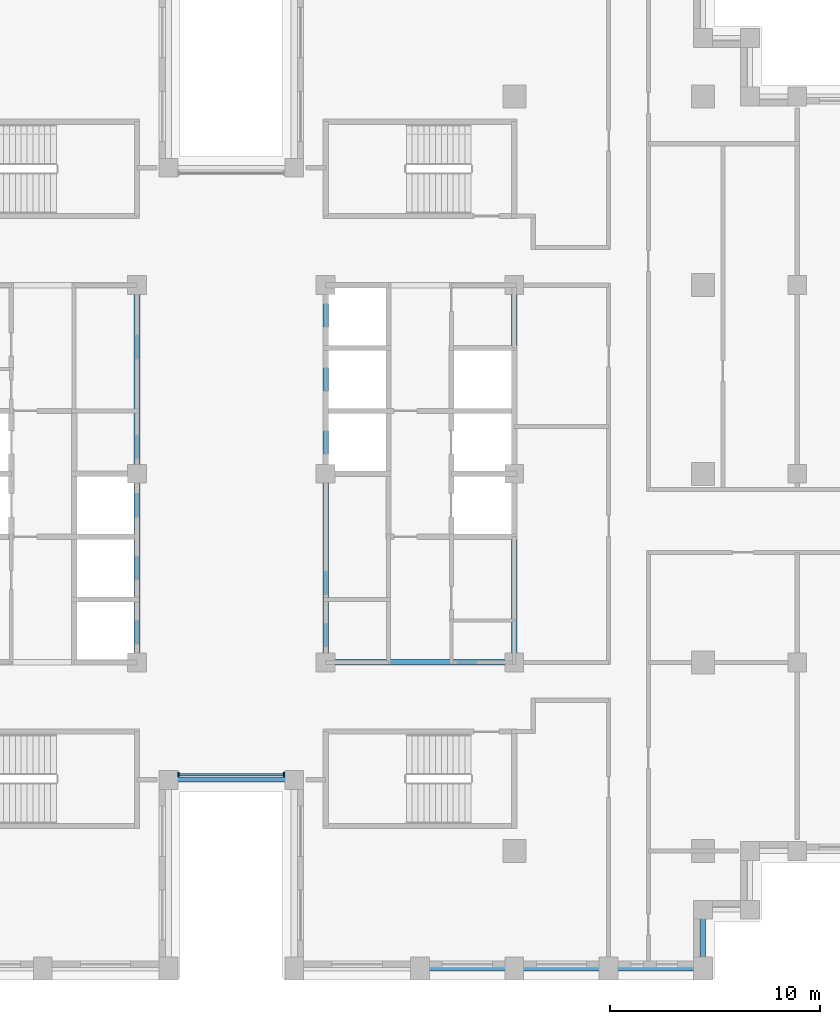
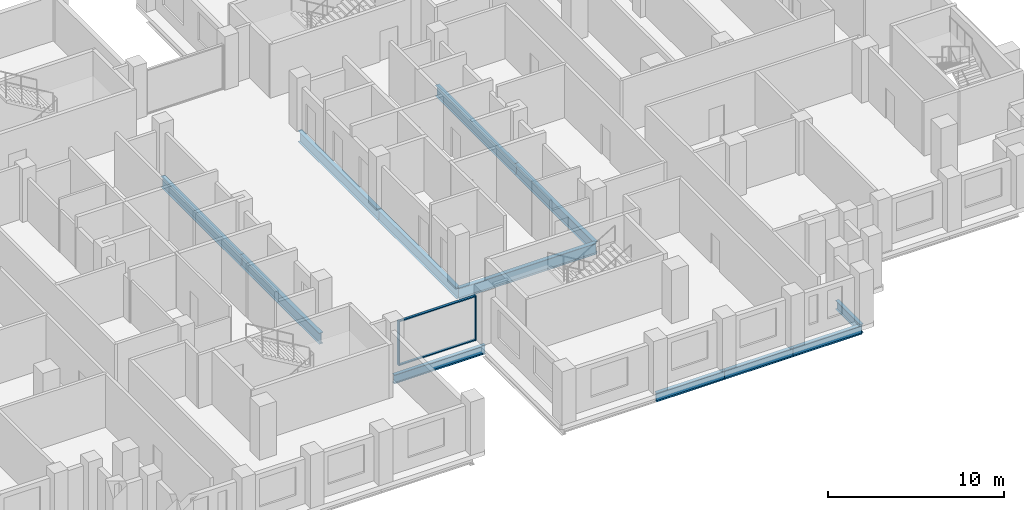
# One storey, part 2 of 16: 12 beams, 4 members, 1 element without a shape of its own.
"""IFC4 building model written with IfcOpenShell, lengths in metres."""

from ifc_helpers import new_model, si_unit, direction, frame, origin, origin_2d, place, context, subcontext, project, spatial, rectangle, i_section, extrude, material, layer, layer_set, material_profile, profile_set, type_object, element, aggregate, save


model = new_model("IFC4")

# Units and contexts
model_context = context("Model", 3, precision=1e-05, world=origin(), true_north=direction((0.0, 1.0)))
body_context = subcontext(model_context, "Body", "Model", "MODEL_VIEW")
ifc_project = project(units=[si_unit("LENGTHUNIT", "METRE"), si_unit("AREAUNIT", "SQUARE_METRE"), si_unit("VOLUMEUNIT", "CUBIC_METRE"), si_unit("PLANEANGLEUNIT", "RADIAN"), si_unit("MASSUNIT", "GRAM", prefix="KILO")], contexts=[model_context])

# Site, building, storey
site_placement = place(None, origin())
site = spatial("IfcSite", under=ifc_project, at=site_placement, CompositionType="ELEMENT")
building_placement = place(site_placement, origin())
building = spatial("IfcBuilding", under=site, at=building_placement, Name="Corbelhall Arena Tower", CompositionType="ELEMENT")
storey_placement = place(building_placement, frame((0.0, 0.0, 154.0)))
storey = spatial("IfcBuildingStorey", under=building, at=storey_placement, Name="L30", CompositionType="ELEMENT", Elevation=154.0)

# Curtain wall, members
ifc_material_1 = material(Name="Aluminium black anodised", Category="aluminium")
ifc_layer = layer(ifc_material_1, 0.199951171875)
ifc_layer_set = layer_set([ifc_layer], Name="EV-CW1 Slot back wall")
curtain_wall_type = type_object("IfcCurtainWallType", Name="EV-CW1 Slot back wall", PredefinedType="NOTDEFINED", material=ifc_layer_set)
curtain_wall_placement = place(storey_placement, origin())
curtain_wall = element("IfcCurtainWall", 1, at=curtain_wall_placement, inside=storey, type_object=curtain_wall_type, Name="Curtain wall CW1", PredefinedType="NOTDEFINED")
ifc_material_profile_1 = material_profile(ifc_material_1, rectangle(XDim=0.199951171875, YDim=0.074951171875, at=origin_2d()))
ifc_profile_set_1 = profile_set([ifc_material_profile_1], Name="Aluminium black anodised")
member_type_1 = type_object("IfcMemberType", Name="EV-CW1-MULLION", PredefinedType="MULLION", material=ifc_profile_set_1)
member_1_placement = place(storey_placement, frame((-2.512451171875, -14.35009765625, 0.0), z_axis=(0.0, 0.0, 1.0), x_axis=(0.0, 1.0, 0.0)))
member_1 = element("IfcMember", 2, at=member_1_placement, type_object=member_type_1, Name="CW1 mullion 1", PredefinedType="MULLION", context=body_context, shape_type="SweptSolid", body=[
    extrude(rectangle(XDim=0.199951171875, YDim=0.074951171875, at=origin_2d()), origin(), (0.0, 0.0, 1.0), 3.10009765625),
])
member_2_placement = place(storey_placement, frame((2.512451171875, -14.35009765625, 0.0), z_axis=(0.0, 0.0, 1.0), x_axis=(0.0, 1.0, 0.0)))
member_2 = element("IfcMember", 3, at=member_2_placement, type_object=member_type_1, Name="CW1 mullion 2", PredefinedType="MULLION", context=body_context, shape_type="SweptSolid", body=[
    extrude(rectangle(XDim=0.199951171875, YDim=0.074951171875, at=origin_2d()), origin(), (0.0, 0.0, 1.0), 3.10009765625),
])
ifc_material_profile_2 = material_profile(ifc_material_1, rectangle(XDim=0.14990234375, YDim=0.074951171875, at=origin_2d()))
ifc_profile_set_2 = profile_set([ifc_material_profile_2], Name="Aluminium black anodised")
member_type_2 = type_object("IfcMemberType", Name="EV-CW1-TRANSOM", PredefinedType="USERDEFINED", material=ifc_profile_set_2)
member_3_placement = place(storey_placement, frame((-2.47509765625, -14.35009765625, 0.03759765625), z_axis=(1.0, 0.0, 0.0), x_axis=(0.0, 1.0, 0.0)))
member_3 = element("IfcMember", 4, at=member_3_placement, type_object=member_type_2, Name="CW1 transom 1.1", ObjectType="transom", PredefinedType="USERDEFINED", context=body_context, shape_type="SweptSolid", body=[
    extrude(rectangle(XDim=0.14990234375, YDim=0.074951171875, at=origin_2d()), origin(), (0.0, 0.0, 1.0), 4.9501953125),
])
member_4_placement = place(storey_placement, frame((-2.47509765625, -14.35009765625, 3.0625), z_axis=(1.0, 0.0, 0.0), x_axis=(0.0, 1.0, 0.0)))
member_4 = element("IfcMember", 5, at=member_4_placement, type_object=member_type_2, Name="CW1 transom 1.2", ObjectType="transom", PredefinedType="USERDEFINED", context=body_context, shape_type="SweptSolid", body=[
    extrude(rectangle(XDim=0.14990234375, YDim=0.074951171875, at=origin_2d()), origin(), (0.0, 0.0, 1.0), 4.9501953125),
])
aggregate(curtain_wall, [member_1, member_2, member_3, member_4])

# Beams
ifc_material_2 = material(Name="Steel ASTM A992 Gr50", Category="steel")
ifc_material_profile_3 = material_profile(ifc_material_2, i_section(OverallWidth=0.2666015625, OverallDepth=0.761962890625, WebThickness=0.014404296875, FlangeThickness=0.021484375, at=origin_2d()))
ifc_profile_set_3 = profile_set([ifc_material_profile_3], Name="Steel ASTM A992 Gr50")
beam_type_1 = type_object("IfcBeamType", Name="ST-BEAM-W30x116", PredefinedType="BEAM", material=ifc_profile_set_3)
for number, where, z_axis, x_axis, name in (
    (6, (-4.5, -9.0, -0.680908203125), (0.0, 1.0, 0.0), (-1.0, 0.0, 0.0), "Beam CEW 3"),
    (7, (-4.5, 0.0, -0.680908203125), (0.0, 1.0, 0.0), (-1.0, 0.0, 0.0), "Beam CEW 4"),
    (8, (4.5, -9.0, -0.680908203125), (0.0, 1.0, 0.0), (-1.0, 0.0, 0.0), "Beam CEE 7"),
    (9, (4.5, 0.0, -0.680908203125), (0.0, 1.0, 0.0), (-1.0, 0.0, 0.0), "Beam CEE 8"),
    (10, (13.5, -9.0, -0.680908203125), (0.0, 1.0, 0.0), (-1.0, 0.0, 0.0), "Beam CEE 9"),
    (11, (13.5, 0.0, -0.680908203125), (0.0, 1.0, 0.0), (-1.0, 0.0, 0.0), "Beam CEE 10"),
    (12, (4.5, -9.0, -0.680908203125), (1.0, 0.0, 0.0), (0.0, 1.0, 0.0), "Beam CEE 11"),
):
    element("IfcBeam", number, at=place(storey_placement, frame(where, z_axis=z_axis, x_axis=x_axis)), inside=storey, type_object=beam_type_1, Name=name, PredefinedType="BEAM", context=body_context, shape_type="SweptSolid", body=[
        extrude(i_section(OverallWidth=0.2666015625, OverallDepth=0.761962890625, WebThickness=0.014404296875, FlangeThickness=0.021484375, at=origin_2d()), origin(), (0.0, 0.0, 1.0), 9.0),
    ])
ifc_material_profile_4 = material_profile(ifc_material_2, i_section(OverallWidth=0.22900390625, OverallDepth=0.612060546875, WebThickness=0.011962890625, FlangeThickness=0.01953125, at=origin_2d()))
ifc_profile_set_4 = profile_set([ifc_material_profile_4], Name="Steel ASTM A992 Gr50")
beam_type_2 = type_object("IfcBeamType", Name="ST-SPANDREL-W24x84", PredefinedType="SPANDREL", material=ifc_profile_set_4)
for number, where, z_axis, x_axis, name in (
    (13, (13.5, -23.60009765625, -0.60595703125), (-1.0, 0.0, 0.0), (0.0, -1.0, 0.0), "Beam SP 29"),
    (14, (18.0, -23.60009765625, -0.60595703125), (-1.0, 0.0, 0.0), (0.0, -1.0, 0.0), "Beam SP 30"),
    (15, (22.5, -23.60009765625, -0.60595703125), (-1.0, 0.0, 0.0), (0.0, -1.0, 0.0), "Beam SP 31"),
):
    element("IfcBeam", number, at=place(storey_placement, frame(where, z_axis=z_axis, x_axis=x_axis)), inside=storey, type_object=beam_type_2, Name=name, PredefinedType="SPANDREL", context=body_context, shape_type="SweptSolid", body=[
        extrude(i_section(OverallWidth=0.22900390625, OverallDepth=0.612060546875, WebThickness=0.011962890625, FlangeThickness=0.01953125, at=origin_2d()), origin(), (0.0, 0.0, 1.0), 4.5),
    ])
beam_1_placement = place(storey_placement, frame((3.0, -14.60009765625, -0.60595703125), z_axis=(-1.0, 0.0, 0.0), x_axis=(0.0, -1.0, 0.0)))
element("IfcBeam", 16, at=beam_1_placement, inside=storey, type_object=beam_type_2, Name="Beam SP 41", PredefinedType="SPANDREL", context=body_context, shape_type="SweptSolid", body=[
    extrude(i_section(OverallWidth=0.22900390625, OverallDepth=0.612060546875, WebThickness=0.011962890625, FlangeThickness=0.01953125, at=origin_2d()), origin(), (0.0, 0.0, 1.0), 6.0),
])
beam_2_placement = place(storey_placement, frame((22.5, -20.800048828125, -0.60595703125), z_axis=(0.0, -1.0, 0.0), x_axis=(1.0, 0.0, 0.0)))
element("IfcBeam", 17, at=beam_2_placement, inside=storey, type_object=beam_type_2, Name="Beam SP 49", PredefinedType="SPANDREL", context=body_context, shape_type="SweptSolid", body=[
    extrude(i_section(OverallWidth=0.22900390625, OverallDepth=0.612060546875, WebThickness=0.011962890625, FlangeThickness=0.01953125, at=origin_2d()), origin(), (0.0, 0.0, 1.0), 2.800048828125),
])

save(model, "model.ifc")
